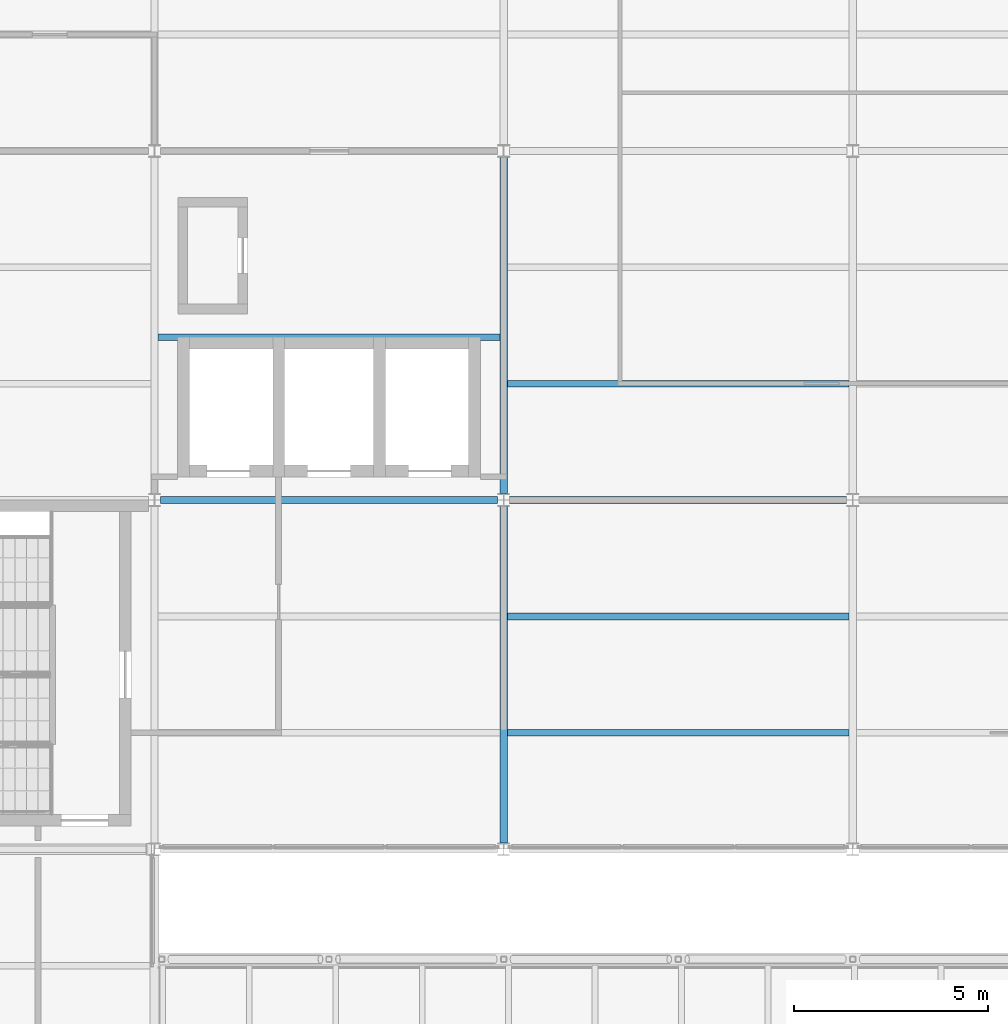
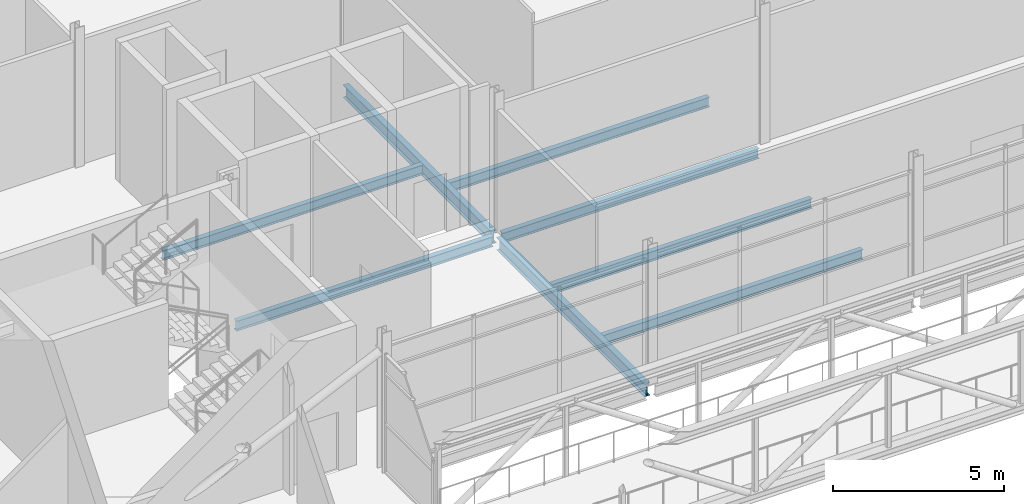
# One storey, part 58 of 115: 8 beams.
"""IFC4 building model written with IfcOpenShell, lengths in metres."""

from ifc_helpers import new_model, si_unit, direction, frame, origin, origin_2d, place, context, subcontext, project, spatial, i_section, extrude, material, material_profile, profile_set, type_object, element, save


model = new_model("IFC4")

# Units and contexts
model_context = context("Model", 3, precision=1e-05, world=origin(), true_north=direction((0.0, 1.0)))
body_context = subcontext(model_context, "Body", "Model", "MODEL_VIEW")
ifc_project = project(units=[si_unit("LENGTHUNIT", "METRE"), si_unit("AREAUNIT", "SQUARE_METRE"), si_unit("VOLUMEUNIT", "CUBIC_METRE"), si_unit("PLANEANGLEUNIT", "RADIAN"), si_unit("MASSUNIT", "GRAM", prefix="KILO")], contexts=[model_context])

# Site, building, storey
site_placement = place(None, origin())
site = spatial("IfcSite", under=ifc_project, at=site_placement, CompositionType="ELEMENT")
building_placement = place(site_placement, origin())
building = spatial("IfcBuilding", under=site, at=building_placement, Name="Shorebreak Coast Museum", CompositionType="ELEMENT")
storey_placement = place(building_placement, frame((0.0, 0.0, 11.0)))
storey = spatial("IfcBuildingStorey", under=building, at=storey_placement, Name="L02", CompositionType="ELEMENT", Elevation=11.0)

# Beams
ifc_material_1 = material(Name="Steel Grade 300", Category="steel")
ifc_material_profile_1 = material_profile(ifc_material_1, i_section(OverallWidth=0.172119140625, OverallDepth=0.358642578125, WebThickness=0.008056640625, FlangeThickness=0.012939453125, FilletRadius=0.011474609375, at=origin_2d()), Name="360UB56.7")
ifc_profile_set_1 = profile_set([ifc_material_profile_1], Name="Steel Grade 300")
beam_type_1 = type_object("IfcBeamType", Name="Floor girder east-west 360UB56.7", PredefinedType="BEAM", material=ifc_profile_set_1)
for number, where, z_axis, x_axis, name in (
    (1, (63.155517578125, 90.0, -0.354248046875), (1.0, 0.0, 0.0), (0.0, 1.0, 0.0), "Floor girder east-west L02 8L"),
    (2, (72.155517578125, 90.0, -0.354248046875), (1.0, 0.0, 0.0), (0.0, 1.0, 0.0), "Floor girder east-west L02 9L"),
):
    element("IfcBeam", number, at=place(storey_placement, frame(where, z_axis=z_axis, x_axis=x_axis)), inside=storey, type_object=beam_type_1, Name=name, PredefinedType="BEAM", context=body_context, shape_type="SweptSolid", body=[
        extrude(i_section(OverallWidth=0.172119140625, OverallDepth=0.358642578125, WebThickness=0.008056640625, FlangeThickness=0.012939453125, FilletRadius=0.011474609375, at=origin_2d()), origin(), (0.0, 0.0, 1.0), 8.68896484375),
    ])
ifc_material_2 = material(Name="Steel Grade 300", Category="steel")
ifc_material_profile_2 = material_profile(ifc_material_2, i_section(OverallWidth=0.19091796875, OverallDepth=0.46044921875, WebThickness=0.010009765625, FlangeThickness=0.01611328125, FilletRadius=0.011474609375, at=origin_2d()), Name="460UB82.1")
ifc_profile_set_2 = profile_set([ifc_material_profile_2], Name="Steel Grade 300")
beam_type_2 = type_object("IfcBeamType", Name="Floor girder north-south 460UB82.1", PredefinedType="BEAM", material=ifc_profile_set_2)
beam_1_placement = place(storey_placement, frame((72.0, 81.16357421875, -0.4052734375), z_axis=(0.0, 1.0, 0.0), x_axis=(-1.0, 0.0, 0.0)))
element("IfcBeam", 3, at=beam_1_placement, inside=storey, type_object=beam_type_2, Name="Floor girder north-south L02 9K", PredefinedType="BEAM", context=body_context, shape_type="SweptSolid", body=[
    extrude(i_section(OverallWidth=0.19091796875, OverallDepth=0.46044921875, WebThickness=0.010009765625, FlangeThickness=0.01611328125, FilletRadius=0.011474609375, at=origin_2d()), origin(), (0.0, 0.0, 1.0), 8.6728515625),
])
beam_2_placement = place(storey_placement, frame((72.0, 90.16357421875, -0.4052734375), z_axis=(0.0, 1.0, 0.0), x_axis=(-1.0, 0.0, 0.0)))
element("IfcBeam", 4, at=beam_2_placement, inside=storey, type_object=beam_type_2, Name="Floor girder north-south L02 9L", PredefinedType="BEAM", context=body_context, shape_type="SweptSolid", body=[
    extrude(i_section(OverallWidth=0.19091796875, OverallDepth=0.46044921875, WebThickness=0.010009765625, FlangeThickness=0.01611328125, FilletRadius=0.011474609375, at=origin_2d()), origin(), (0.0, 0.0, 1.0), 8.676025390625),
])
ifc_material_3 = material(Name="Steel Grade 300", Category="steel")
ifc_material_profile_3 = material_profile(ifc_material_3, i_section(OverallWidth=0.1708984375, OverallDepth=0.35205078125, WebThickness=0.0068359375, FlangeThickness=0.009765625, FilletRadius=0.011474609375, at=origin_2d()), Name="360UB44.7")
ifc_profile_set_3 = profile_set([ifc_material_profile_3], Name="Steel Grade 300")
beam_type_3 = type_object("IfcBeamType", Name="Floor joist 360UB44.7", PredefinedType="JOIST", material=ifc_profile_set_3)
for number, where, z_axis, x_axis, name in (
    (5, (72.095458984375, 84.0, -0.35107421875), (1.0, 0.0, 0.0), (0.0, 1.0, 0.0), "Floor joist L02 bay 9K at 3000 mm"),
    (6, (72.095458984375, 87.0, -0.35107421875), (1.0, 0.0, 0.0), (0.0, 1.0, 0.0), "Floor joist L02 bay 9K at 6000 mm"),
    (7, (63.095458984375, 94.199951171875, -0.35107421875), (1.0, 0.0, 0.0), (0.0, 1.0, 0.0), "Floor joist L02 bay 8L at 4200 mm"),
    (8, (72.095458984375, 93.0, -0.35107421875), (1.0, 0.0, 0.0), (0.0, 1.0, 0.0), "Floor joist L02 bay 9L at 3000 mm"),
):
    element("IfcBeam", number, at=place(storey_placement, frame(where, z_axis=z_axis, x_axis=x_axis)), inside=storey, type_object=beam_type_3, Name=name, PredefinedType="JOIST", context=body_context, shape_type="SweptSolid", body=[
        extrude(i_section(OverallWidth=0.1708984375, OverallDepth=0.35205078125, WebThickness=0.0068359375, FlangeThickness=0.009765625, FilletRadius=0.011474609375, at=origin_2d()), origin(), (0.0, 0.0, 1.0), 8.80908203125),
    ])

save(model, "model.ifc")
